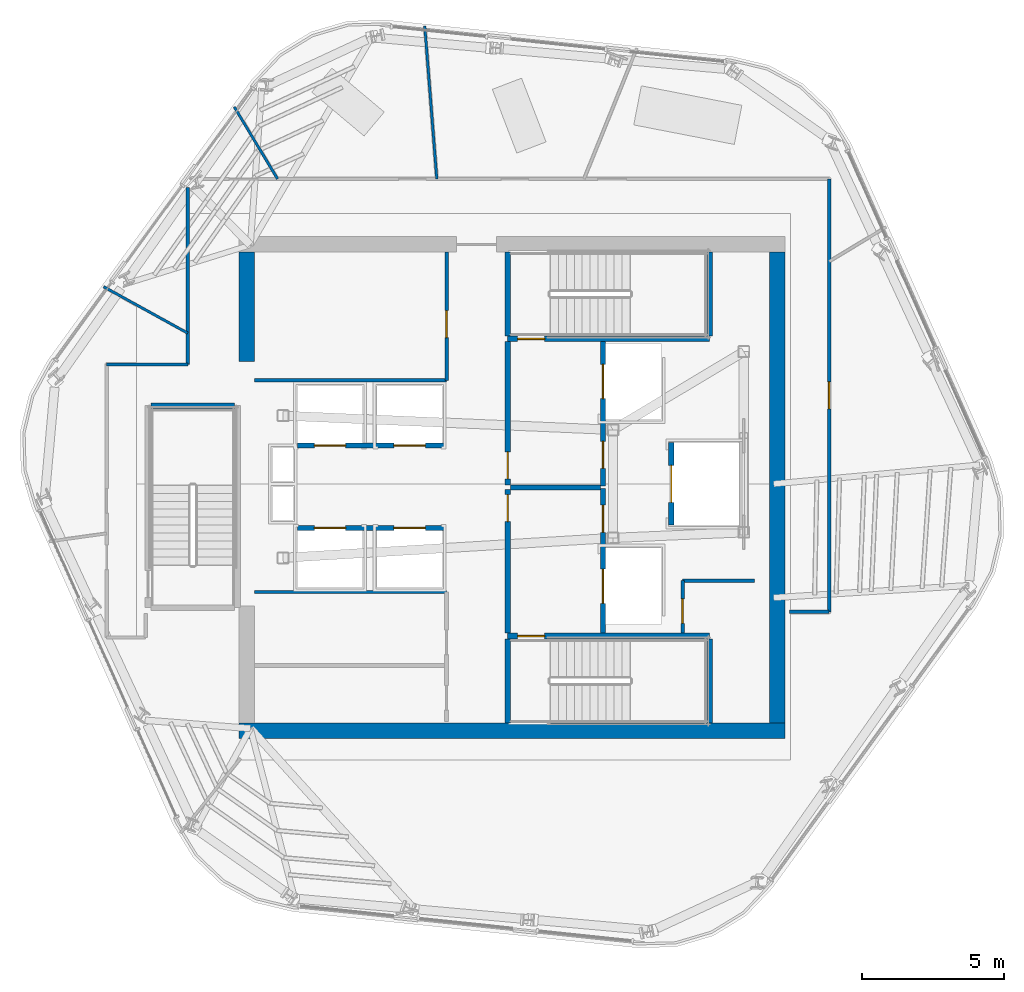
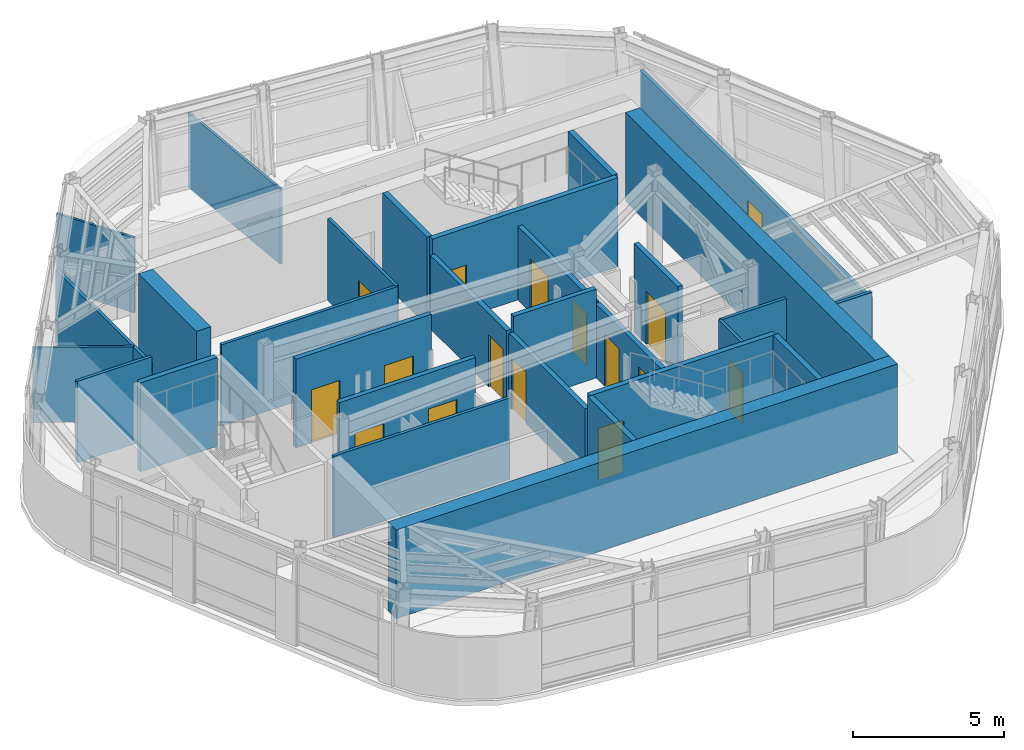
# One storey, part 6 of 12: 30 walls, 16 doors, 16 openings.
"""IFC4 building model written with IfcOpenShell, lengths in metres."""

from ifc_helpers import new_model, si_unit, direction, frame, frame_2d, origin, place, context, subcontext, project, spatial, rectangle, extrude, material, layer, layer_set, type_object, element, fill, save


model = new_model("IFC4")

# Units and contexts
model_context = context("Model", 3, precision=1e-05, world=origin(), true_north=direction((0.0, 1.0)))
body_context = subcontext(model_context, "Body", "Model", "MODEL_VIEW")
ifc_project = project(units=[si_unit("LENGTHUNIT", "METRE"), si_unit("AREAUNIT", "SQUARE_METRE"), si_unit("VOLUMEUNIT", "CUBIC_METRE"), si_unit("PLANEANGLEUNIT", "RADIAN"), si_unit("MASSUNIT", "GRAM", prefix="KILO")], contexts=[model_context])

# Site, building, storey
site_placement = place(None, origin())
site = spatial("IfcSite", under=ifc_project, at=site_placement, CompositionType="ELEMENT")
building_placement = place(site_placement, origin())
building = spatial("IfcBuilding", under=site, at=building_placement, Name="Valkerne Bourse Tower", CompositionType="ELEMENT")
storey_placement = place(building_placement, frame((0.0, 0.0, 258.39990234375)))
storey = spatial("IfcBuildingStorey", under=building, at=storey_placement, Name="L65", CompositionType="ELEMENT", Elevation=258.39990234375)

# Walls
ifc_material_1 = material(Name="Concrete C55/67", Category="concrete")
ifc_layer_1 = layer(ifc_material_1, 0.550048828125)
ifc_layer_set_1 = layer_set([ifc_layer_1], Name="Concrete C55/67")
wall_type_1 = type_object("IfcWallType", Name="W-CORE-550", PredefinedType="SHEAR", material=ifc_layer_set_1)
wall_1_placement = place(storey_placement, frame((37.199951171875, 18.324951171875, 0.0), z_axis=(0.0, 0.0, 1.0), x_axis=(1.0, 0.0, 0.0)))
element("IfcWall", 1, at=wall_1_placement, inside=storey, type_object=wall_type_1, Name="L65 Core Shear Wall SOUTH", PredefinedType="SHEAR", context=body_context, shape_type="SweptSolid", body=[
    extrude(rectangle(XDim=19.199951171875, YDim=0.550048828125, at=frame_2d((9.60009765625, 0.0))), origin(), (0.0, 0.0, 1.0), 3.60009765625),
])
wall_2_placement = place(storey_placement, frame((56.125, 18.60009765625, 0.0), z_axis=(0.0, 0.0, 1.0), x_axis=(0.0, 1.0, 0.0)))
element("IfcWall", 2, at=wall_2_placement, inside=storey, type_object=wall_type_1, Name="L65 Core Shear Wall EAST", PredefinedType="SHEAR", context=body_context, shape_type="SweptSolid", body=[
    extrude(rectangle(XDim=16.5498046875, YDim=0.550048828125, at=frame_2d((8.27490234375, 0.0))), origin(), (0.0, 0.0, 1.0), 3.60009765625),
])
wall_3_placement = place(storey_placement, frame((37.47509765625, 31.300048828125, 0.0), z_axis=(0.0, 0.0, 1.0), x_axis=(0.0, 1.0, 0.0)))
element("IfcWall", 3, at=wall_3_placement, inside=storey, type_object=wall_type_1, Name="L65 Core Shear Wall WEST-N", PredefinedType="SHEAR", context=body_context, shape_type="SweptSolid", body=[
    extrude(rectangle(XDim=3.849853515625, YDim=0.550048828125, at=frame_2d((1.9248046875, 0.0))), origin(), (0.0, 0.0, 1.0), 3.60009765625),
])
ifc_material_2 = material(Name="Gypsum Board Steel-Stud Partition", Category="steel")
ifc_layer_2 = layer(ifc_material_2, 0.117919921875)
ifc_layer_set_2 = layer_set([ifc_layer_2], Name="Gypsum Board Steel-Stud Partition")
wall_type_2 = type_object("IfcWallType", Name="W-CORR-140", PredefinedType="PARTITIONING", material=ifc_layer_set_2)
wall_4_placement = place(storey_placement, frame((37.75, 23.199951171875, 0.0), z_axis=(0.0, 0.0, 1.0), x_axis=(1.0, 0.0, 0.0)))
element("IfcWall", 4, at=wall_4_placement, inside=storey, type_object=wall_type_2, Name="L65 LV7 Low-Bank North Wall", PredefinedType="PARTITIONING", context=body_context, shape_type="SweptSolid", body=[
    extrude(rectangle(XDim=6.75, YDim=0.117919921875, at=frame_2d((3.375, 0.0))), origin(), (0.0, 0.0, 1.0), 3.300048828125),
])

# Wall, opening, door
wall_5_placement = place(storey_placement, frame((44.5, 30.639892578125, 0.0), z_axis=(0.0, 0.0, 1.0), x_axis=(0.0, 1.0, 0.0)))
wall_5 = element("IfcWall", 5, at=wall_5_placement, inside=storey, type_object=wall_type_2, Name="L65 LV7 Mid-Bank East Wall", PredefinedType="PARTITIONING", context=body_context, shape_type="SweptSolid", body=[
    extrude(rectangle(XDim=4.510009765625, YDim=0.117919921875, at=frame_2d((2.2548828125, 0.0))), origin(), (0.0, 0.0, 1.0), 3.300048828125),
])
opening_1_placement = place(wall_5_placement, frame((1.5, 0.0, 0.0)))
opening_1 = element("IfcOpeningElement", 6, at=opening_1_placement, cuts=wall_5, Name="Opening D-SV-950", PredefinedType="OPENING", context=body_context, shape_type="SweptSolid", body=[
    extrude(rectangle(XDim=0.949951171875, YDim=2.050048828125, at=frame_2d((0.47509765625, 1.02490234375))), frame((0.0, 0.06884765625, 0.0), z_axis=(0.0, -1.0, 0.0), x_axis=(1.0, 0.0, 0.0)), (0.0, 0.0, 1.0), 0.137939453125),
])
ifc_material_3 = material(Name="Galvanised Painted Steel", Category="steel")
door_type_1 = type_object("IfcDoorType", Name="DR-SRV-950", OperationType="NOTDEFINED", PredefinedType="DOOR", material=ifc_material_3)
door_1_placement = place(opening_1_placement, origin())
door_1 = element("IfcDoor", 7, at=door_1_placement, inside=storey, type_object=door_type_1, Name="L65 Executive Treasury Conference Door", OperationType="SINGLE_SWING_LEFT", OverallHeight=2.050048828125, OverallWidth=0.949951171875, PredefinedType="DOOR", context=body_context, shape_type="SweptSolid", body=[
    extrude(rectangle(XDim=0.949951171875, YDim=2.050048828125, at=frame_2d((0.47509765625, 1.02490234375))), frame((0.0, 0.02490234375, 0.0), z_axis=(0.0, -1.0, 0.0), x_axis=(1.0, 0.0, 0.0)), (0.0, 0.0, 1.0), 0.050048828125),
])
fill(opening_1, door_1)

# Wall
wall_6_placement = place(storey_placement, frame((37.75, 30.639892578125, 0.0), z_axis=(0.0, 0.0, 1.0), x_axis=(1.0, 0.0, 0.0)))
element("IfcWall", 8, at=wall_6_placement, inside=storey, type_object=wall_type_2, Name="L65 LV7 Mid-Bank South Wall", PredefinedType="PARTITIONING", context=body_context, shape_type="SweptSolid", body=[
    extrude(rectangle(XDim=6.75, YDim=0.117919921875, at=frame_2d((3.375, 0.0))), origin(), (0.0, 0.0, 1.0), 3.300048828125),
])

# Wall, opening, door
wall_7_placement = place(storey_placement, frame((52.800048828125, 21.75, 0.0), z_axis=(0.0, 0.0, 1.0), x_axis=(0.0, 1.0, 0.0)))
wall_7 = element("IfcWall", 9, at=wall_7_placement, inside=storey, type_object=wall_type_2, Name="L65 Core SE South-Bay West Wall", PredefinedType="PARTITIONING", context=body_context, shape_type="SweptSolid", body=[
    extrude(rectangle(XDim=1.85009765625, YDim=0.117919921875, at=frame_2d((0.925048828125, 0.0))), origin(), (0.0, 0.0, 1.0), 3.300048828125),
])
opening_2_placement = place(wall_7_placement, frame((0.35009765625, 0.0, 0.0)))
opening_2 = element("IfcOpeningElement", 10, at=opening_2_placement, cuts=wall_7, Name="Opening D-WC-900", PredefinedType="OPENING", context=body_context, shape_type="SweptSolid", body=[
    extrude(rectangle(XDim=0.860107421875, YDim=2.050048828125, at=frame_2d((0.43017578125, 1.02490234375))), frame((0.0, 0.06884765625, 0.0), z_axis=(0.0, -1.0, 0.0), x_axis=(1.0, 0.0, 0.0)), (0.0, 0.0, 1.0), 0.137939453125),
])
ifc_material_4 = material(Name="Architectural White Oak Timber", Category="wood")
door_type_2 = type_object("IfcDoorType", Name="DR-WC-900", OperationType="NOTDEFINED", PredefinedType="DOOR", material=ifc_material_4)
door_2_placement = place(opening_2_placement, origin())
door_2 = element("IfcDoor", 11, at=door_2_placement, inside=storey, type_object=door_type_2, Name="L65 Janitor Store Door", OperationType="SINGLE_SWING_LEFT", OverallHeight=2.050048828125, OverallWidth=0.860107421875, PredefinedType="DOOR", context=body_context, shape_type="SweptSolid", body=[
    extrude(rectangle(XDim=0.860107421875, YDim=2.050048828125, at=frame_2d((0.43017578125, 1.02490234375))), frame((0.0, 0.02490234375, 0.0), z_axis=(0.0, -1.0, 0.0), x_axis=(1.0, 0.0, 0.0)), (0.0, 0.0, 1.0), 0.050048828125),
])
fill(opening_2, door_2)

# Walls
wall_8_placement = place(storey_placement, frame((52.800048828125, 23.60009765625, 0.0), z_axis=(0.0, 0.0, 1.0), x_axis=(1.0, 0.0, 0.0)))
element("IfcWall", 12, at=wall_8_placement, inside=storey, type_object=wall_type_2, Name="L65 Core SE South-Bay North Wall", PredefinedType="PARTITIONING", context=body_context, shape_type="SweptSolid", body=[
    extrude(rectangle(XDim=2.52001953125, YDim=0.117919921875, at=frame_2d((1.260009765625, 0.0))), origin(), (0.0, 0.0, 1.0), 3.300048828125),
])
wall_9_placement = place(storey_placement, frame((35.39990234375, 31.199951171875, 0.0), z_axis=(0.0, 0.0, 1.0), x_axis=(0.0, 1.0, 0.0)))
element("IfcWall", 13, at=wall_9_placement, inside=storey, type_object=wall_type_2, Name="L65 Corridor Enclosure Wall", PredefinedType="PARTITIONING", context=body_context, shape_type="SweptSolid", body=[
    extrude(rectangle(XDim=6.228271484375, YDim=0.117919921875, at=frame_2d((3.1142578125, 0.0))), origin(), (0.0, 0.0, 1.0), 3.036376953125),
])

# Wall, opening, door
wall_10_placement = place(storey_placement, frame((57.949951171875, 37.719970703125, 0.0), z_axis=(0.0, 0.0, 1.0), x_axis=(0.0, -1.0, 0.0)))
wall_10 = element("IfcWall", 14, at=wall_10_placement, inside=storey, type_object=wall_type_2, Name="L65 Corridor Enclosure Wall", PredefinedType="PARTITIONING", context=body_context, shape_type="SweptSolid", body=[
    extrude(rectangle(XDim=15.219970703125, YDim=0.117919921875, at=frame_2d((7.60986328125, 0.0))), origin(), (0.0, 0.0, 1.0), 3.04150390625),
])
opening_3_placement = place(wall_10_placement, frame((7.135009765625, 0.0, 0.0)))
opening_3 = element("IfcOpeningElement", 15, at=opening_3_placement, cuts=wall_10, Name="Opening D-OF-950", PredefinedType="OPENING", context=body_context, shape_type="SweptSolid", body=[
    extrude(rectangle(XDim=0.949951171875, YDim=2.10009765625, at=frame_2d((0.47509765625, 1.050048828125))), frame((0.0, 0.06884765625, 0.0), z_axis=(0.0, -1.0, 0.0), x_axis=(1.0, 0.0, 0.0)), (0.0, 0.0, 1.0), 0.137939453125),
])
door_type_3 = type_object("IfcDoorType", Name="DR-OFF-950", OperationType="NOTDEFINED", PredefinedType="DOOR", material=ifc_material_4)
door_3_placement = place(opening_3_placement, origin())
door_3 = element("IfcDoor", 16, at=door_3_placement, inside=storey, type_object=door_type_3, Name="L65 L65 Occupational Wellness Clinic 7 Door", OperationType="SINGLE_SWING_RIGHT", OverallHeight=2.10009765625, OverallWidth=0.949951171875, PredefinedType="DOOR", context=body_context, shape_type="SweptSolid", body=[
    extrude(rectangle(XDim=0.949951171875, YDim=2.10009765625, at=frame_2d((0.47509765625, 1.050048828125))), frame((0.0, 0.02490234375, 0.0), z_axis=(0.0, -1.0, 0.0), x_axis=(1.0, 0.0, 0.0)), (0.0, 0.0, 1.0), 0.050048828125),
])
fill(opening_3, door_3)

# Walls
wall_11_placement = place(storey_placement, frame((57.949951171875, 22.5, 0.0), z_axis=(0.0, 0.0, 1.0), x_axis=(-1.0, 0.0, 0.0)))
element("IfcWall", 17, at=wall_11_placement, inside=storey, type_object=wall_type_2, Name="L65 Corridor Enclosure Wall", PredefinedType="PARTITIONING", context=body_context, shape_type="SweptSolid", body=[
    extrude(rectangle(XDim=1.389892578125, YDim=0.117919921875, at=frame_2d((0.69482421875, 0.0))), origin(), (0.0, 0.0, 1.0), 3.300048828125),
])
wall_12_placement = place(storey_placement, frame((32.550048828125, 31.199951171875, 0.0), z_axis=(0.0, 0.0, 1.0), x_axis=(1.0, 0.0, 0.0)))
element("IfcWall", 18, at=wall_12_placement, inside=storey, type_object=wall_type_2, Name="L65 Corridor Enclosure Wall", PredefinedType="PARTITIONING", context=body_context, shape_type="SweptSolid", body=[
    extrude(rectangle(XDim=2.849853515625, YDim=0.117919921875, at=frame_2d((1.4248046875, 0.0))), origin(), (0.0, 0.0, 1.0), 3.300048828125),
])
ifc_material_5 = material(Name="Gypsum Fire-Rated Shaftwall", Category="gypsum")
ifc_layer_3 = layer(ifc_material_5, 0.179931640625)
ifc_layer_set_3 = layer_set([ifc_layer_3], Name="Gypsum Fire-Rated Shaftwall")
wall_type_3 = type_object("IfcWallType", Name="W-FSAE-180", PredefinedType="PARTITIONING", material=ifc_layer_set_3)
wall_13_placement = place(storey_placement, frame((46.739990234375, 26.8798828125, 0.0), z_axis=(0.0, 0.0, 1.0), x_axis=(1.0, 0.0, 0.0)))
element("IfcWall", 19, at=wall_13_placement, inside=storey, type_object=wall_type_3, Name="L65 FSAE-1/2 Lobby Dividing Fire Wall", PredefinedType="PARTITIONING", context=body_context, shape_type="SweptSolid", body=[
    extrude(rectangle(XDim=3.169921875, YDim=0.179931640625, at=frame_2d((1.5849609375, 0.0))), origin(), (0.0, 0.0, 1.0), 3.60009765625),
])

# Wall, opening, door
wall_14_placement = place(storey_placement, frame((46.64990234375, 21.75, 0.0), z_axis=(0.0, 0.0, 1.0), x_axis=(0.0, 1.0, 0.0)))
wall_14 = element("IfcWall", 20, at=wall_14_placement, inside=storey, type_object=wall_type_3, Name="L65 FSAE-1 Lobby West Fire Wall", PredefinedType="PARTITIONING", context=body_context, shape_type="SweptSolid", body=[
    extrude(rectangle(XDim=5.050048828125, YDim=0.179931640625, at=frame_2d((2.52490234375, 0.0))), origin(), (0.0, 0.0, 1.0), 2.977783203125),
])
opening_4_placement = place(wall_14_placement, frame((3.919921875, 0.0, 0.0)))
opening_4 = element("IfcOpeningElement", 21, at=opening_4_placement, cuts=wall_14, Name="Opening D-FS-950", PredefinedType="OPENING", context=body_context, shape_type="SweptSolid", body=[
    extrude(rectangle(XDim=0.949951171875, YDim=2.10009765625, at=frame_2d((0.47509765625, 1.050048828125))), frame((0.0, 0.099853515625, 0.0), z_axis=(0.0, -1.0, 0.0), x_axis=(1.0, 0.0, 0.0)), (0.0, 0.0, 1.0), 0.199951171875),
])
door_type_4 = type_object("IfcDoorType", Name="DR-FSAE-950", OperationType="NOTDEFINED", PredefinedType="DOOR", material=ifc_material_3)
door_4_placement = place(opening_4_placement, origin())
door_4 = element("IfcDoor", 22, at=door_4_placement, inside=storey, type_object=door_type_4, Name="L65 FSAE-1 Hall Link Fire Door", OperationType="SINGLE_SWING_RIGHT", OverallHeight=2.10009765625, OverallWidth=0.949951171875, PredefinedType="DOOR", context=body_context, shape_type="SweptSolid", body=[
    extrude(rectangle(XDim=0.949951171875, YDim=2.10009765625, at=frame_2d((0.47509765625, 1.050048828125))), frame((0.0, 0.02490234375, 0.0), z_axis=(0.0, -1.0, 0.0), x_axis=(1.0, 0.0, 0.0)), (0.0, 0.0, 1.0), 0.050048828125),
])
fill(opening_4, door_4)

wall_15_placement = place(storey_placement, frame((46.64990234375, 26.9599609375, 0.0), z_axis=(0.0, 0.0, 1.0), x_axis=(0.0, 1.0, 0.0)))
wall_15 = element("IfcWall", 23, at=wall_15_placement, inside=storey, type_object=wall_type_3, Name="L65 FSAE-2 Lobby West Fire Wall", PredefinedType="PARTITIONING", context=body_context, shape_type="SweptSolid", body=[
    extrude(rectangle(XDim=5.0400390625, YDim=0.179931640625, at=frame_2d((2.52001953125, 0.0))), origin(), (0.0, 0.0, 1.0), 2.977783203125),
])
opening_5_placement = place(wall_15_placement, frame((0.219970703125, 0.0, 0.0)))
opening_5 = element("IfcOpeningElement", 24, at=opening_5_placement, cuts=wall_15, Name="Opening D-FS-950", PredefinedType="OPENING", context=body_context, shape_type="SweptSolid", body=[
    extrude(rectangle(XDim=0.949951171875, YDim=2.10009765625, at=frame_2d((0.47509765625, 1.050048828125))), frame((0.0, 0.099853515625, 0.0), z_axis=(0.0, -1.0, 0.0), x_axis=(1.0, 0.0, 0.0)), (0.0, 0.0, 1.0), 0.199951171875),
])
door_5_placement = place(opening_5_placement, origin())
door_5 = element("IfcDoor", 25, at=door_5_placement, inside=storey, type_object=door_type_4, Name="L65 FSAE-2 Hall Link Fire Door", OperationType="SINGLE_SWING_RIGHT", OverallHeight=2.10009765625, OverallWidth=0.949951171875, PredefinedType="DOOR", context=body_context, shape_type="SweptSolid", body=[
    extrude(rectangle(XDim=0.949951171875, YDim=2.10009765625, at=frame_2d((0.47509765625, 1.050048828125))), frame((0.0, 0.02490234375, 0.0), z_axis=(0.0, -1.0, 0.0), x_axis=(1.0, 0.0, 0.0)), (0.0, 0.0, 1.0), 0.050048828125),
])
fill(opening_5, door_5)

# Wall, openings, doors
wall_16_placement = place(storey_placement, frame((50.0, 21.75, 0.0), z_axis=(0.0, 0.0, 1.0), x_axis=(0.0, 1.0, 0.0)))
wall_16 = element("IfcWall", 26, at=wall_16_placement, inside=storey, type_object=wall_type_3, Name="L65 FSAE-1 Lobby & Shaft Front Wall", PredefinedType="PARTITIONING", context=body_context, shape_type="SweptSolid", body=[
    extrude(rectangle(XDim=5.090087890625, YDim=0.179931640625, at=frame_2d((2.544921875, 0.0))), origin(), (0.0, 0.0, 1.0), 2.977783203125),
])
opening_6_placement = place(wall_16_placement, frame((1.050048828125, 0.0, 0.0)))
opening_6 = element("IfcOpeningElement", 27, at=opening_6_placement, cuts=wall_16, Name="Opening LD-1200", PredefinedType="OPENING", context=body_context, shape_type="SweptSolid", body=[
    extrude(rectangle(XDim=1.199951171875, YDim=2.14990234375, at=frame_2d((0.60009765625, 1.074951171875))), frame((0.0, 0.099853515625, 0.0), z_axis=(0.0, -1.0, 0.0), x_axis=(1.0, 0.0, 0.0)), (0.0, 0.0, 1.0), 0.199951171875),
])
opening_7_placement = place(wall_16_placement, frame((3.550048828125, 0.0, 0.0)))
opening_7 = element("IfcOpeningElement", 28, at=opening_7_placement, cuts=wall_16, Name="Opening D-FS-950", PredefinedType="OPENING", context=body_context, shape_type="SweptSolid", body=[
    extrude(rectangle(XDim=0.949951171875, YDim=2.10009765625, at=frame_2d((0.47509765625, 1.050048828125))), frame((0.0, 0.099853515625, 0.0), z_axis=(0.0, -1.0, 0.0), x_axis=(1.0, 0.0, 0.0)), (0.0, 0.0, 1.0), 0.199951171875),
])
door_6_placement = place(opening_7_placement, origin())
door_6 = element("IfcDoor", 29, at=door_6_placement, inside=storey, type_object=door_type_4, Name="L65 FSAE-1 Lobby Corridor Fire Door", OperationType="SINGLE_SWING_LEFT", OverallHeight=2.10009765625, OverallWidth=0.949951171875, PredefinedType="DOOR", context=body_context, shape_type="SweptSolid", body=[
    extrude(rectangle(XDim=0.949951171875, YDim=2.10009765625, at=frame_2d((0.47509765625, 1.050048828125))), frame((0.0, 0.02490234375, 0.0), z_axis=(0.0, -1.0, 0.0), x_axis=(1.0, 0.0, 0.0)), (0.0, 0.0, 1.0), 0.050048828125),
])
fill(opening_7, door_6)
ifc_material_6 = material(Name="Stainless Steel AISI 316", Category="steel")
door_type_5 = type_object("IfcDoorType", Name="DR-LIFT-1200", OperationType="DOUBLE_DOOR_SLIDING", PredefinedType="DOOR", material=ifc_material_6)
door_7_placement = place(opening_6_placement, origin())
door_7 = element("IfcDoor", 30, at=door_7_placement, inside=storey, type_object=door_type_5, Name="L65 FSAE-1 Firefighting Lift Landing Door", OperationType="DOUBLE_DOOR_SLIDING", OverallHeight=2.14990234375, OverallWidth=1.199951171875, PredefinedType="DOOR", context=body_context, shape_type="SweptSolid", body=[
    extrude(rectangle(XDim=1.199951171875, YDim=2.14990234375, at=frame_2d((0.60009765625, 1.074951171875))), frame((0.0, 0.02490234375, 0.0), z_axis=(0.0, -1.0, 0.0), x_axis=(1.0, 0.0, 0.0)), (0.0, 0.0, 1.0), 0.050048828125),
])
fill(opening_6, door_7)

wall_17_placement = place(storey_placement, frame((50.0, 26.919921875, 0.0), z_axis=(0.0, 0.0, 1.0), x_axis=(0.0, 1.0, 0.0)))
wall_17 = element("IfcWall", 31, at=wall_17_placement, inside=storey, type_object=wall_type_3, Name="L65 FSAE-2 Lobby & Shaft Front Wall", PredefinedType="PARTITIONING", context=body_context, shape_type="SweptSolid", body=[
    extrude(rectangle(XDim=5.080078125, YDim=0.179931640625, at=frame_2d((2.5400390625, 0.0))), origin(), (0.0, 0.0, 1.0), 2.977783203125),
])
opening_8_placement = place(wall_17_placement, frame((3.080078125, 0.0, 0.0)))
opening_8 = element("IfcOpeningElement", 32, at=opening_8_placement, cuts=wall_17, Name="Opening LD-1200", PredefinedType="OPENING", context=body_context, shape_type="SweptSolid", body=[
    extrude(rectangle(XDim=1.199951171875, YDim=2.14990234375, at=frame_2d((0.60009765625, 1.074951171875))), frame((0.0, 0.099853515625, 0.0), z_axis=(0.0, -1.0, 0.0), x_axis=(1.0, 0.0, 0.0)), (0.0, 0.0, 1.0), 0.199951171875),
])
opening_9_placement = place(wall_17_placement, frame((0.6298828125, 0.0, 0.0)))
opening_9 = element("IfcOpeningElement", 33, at=opening_9_placement, cuts=wall_17, Name="Opening D-FS-950", PredefinedType="OPENING", context=body_context, shape_type="SweptSolid", body=[
    extrude(rectangle(XDim=0.949951171875, YDim=2.10009765625, at=frame_2d((0.47509765625, 1.050048828125))), frame((0.0, 0.099853515625, 0.0), z_axis=(0.0, -1.0, 0.0), x_axis=(1.0, 0.0, 0.0)), (0.0, 0.0, 1.0), 0.199951171875),
])
door_8_placement = place(opening_9_placement, origin())
door_8 = element("IfcDoor", 34, at=door_8_placement, inside=storey, type_object=door_type_4, Name="L65 FSAE-2 Lobby Corridor Fire Door", OperationType="SINGLE_SWING_LEFT", OverallHeight=2.10009765625, OverallWidth=0.949951171875, PredefinedType="DOOR", context=body_context, shape_type="SweptSolid", body=[
    extrude(rectangle(XDim=0.949951171875, YDim=2.10009765625, at=frame_2d((0.47509765625, 1.050048828125))), frame((0.0, 0.02490234375, 0.0), z_axis=(0.0, -1.0, 0.0), x_axis=(1.0, 0.0, 0.0)), (0.0, 0.0, 1.0), 0.050048828125),
])
fill(opening_9, door_8)
door_9_placement = place(opening_8_placement, origin())
door_9 = element("IfcDoor", 35, at=door_9_placement, inside=storey, type_object=door_type_5, Name="L65 FSAE-2 Firefighting Lift Landing Door", OperationType="DOUBLE_DOOR_SLIDING", OverallHeight=2.14990234375, OverallWidth=1.199951171875, PredefinedType="DOOR", context=body_context, shape_type="SweptSolid", body=[
    extrude(rectangle(XDim=1.199951171875, YDim=2.14990234375, at=frame_2d((0.60009765625, 1.074951171875))), frame((0.0, 0.02490234375, 0.0), z_axis=(0.0, -1.0, 0.0), x_axis=(1.0, 0.0, 0.0)), (0.0, 0.0, 1.0), 0.050048828125),
])
fill(opening_8, door_9)

# Wall, opening, door
ifc_material_7 = material(Name="CMU Blockwork Masonry 200mm", Category="masonry")
ifc_layer_4 = layer(ifc_material_7, 0.179931640625)
ifc_layer_set_4 = layer_set([ifc_layer_4], Name="CMU Blockwork Masonry 200mm")
wall_type_4 = type_object("IfcWallType", Name="W-LFT-180", PredefinedType="SOLIDWALL", material=ifc_layer_set_4)
wall_18_placement = place(storey_placement, frame((52.39990234375, 25.550048828125, 0.0), z_axis=(0.0, 0.0, 1.0), x_axis=(0.0, 1.0, 0.0)))
wall_18 = element("IfcWall", 36, at=wall_18_placement, inside=storey, type_object=wall_type_4, Name="L65 Service Lift SV-1 Front Wall", PredefinedType="SOLIDWALL", context=body_context, shape_type="SweptSolid", body=[
    extrude(rectangle(XDim=2.89990234375, YDim=0.179931640625, at=frame_2d((1.449951171875, 0.0))), origin(), (0.0, 0.0, 1.0), 3.60009765625),
])
opening_10_placement = place(wall_18_placement, frame((0.800048828125, 0.0, 0.0)))
opening_10 = element("IfcOpeningElement", 37, at=opening_10_placement, cuts=wall_18, Name="Opening LD-1300", PredefinedType="OPENING", context=body_context, shape_type="SweptSolid", body=[
    extrude(rectangle(XDim=1.300048828125, YDim=2.14990234375, at=frame_2d((0.64990234375, 1.074951171875))), frame((0.0, 0.099853515625, 0.0), z_axis=(0.0, -1.0, 0.0), x_axis=(1.0, 0.0, 0.0)), (0.0, 0.0, 1.0), 0.199951171875),
])
door_type_6 = type_object("IfcDoorType", Name="DR-LIFT-1300", OperationType="DOUBLE_DOOR_SLIDING", PredefinedType="DOOR", material=ifc_material_6)
door_10_placement = place(opening_10_placement, origin())
door_10 = element("IfcDoor", 38, at=door_10_placement, inside=storey, type_object=door_type_6, Name="L65 Service Lift SV-1 Landing Door", OperationType="DOUBLE_DOOR_SLIDING", OverallHeight=2.14990234375, OverallWidth=1.300048828125, PredefinedType="DOOR", context=body_context, shape_type="SweptSolid", body=[
    extrude(rectangle(XDim=1.300048828125, YDim=2.14990234375, at=frame_2d((0.64990234375, 1.074951171875))), frame((0.0, 0.02490234375, 0.0), z_axis=(0.0, -1.0, 0.0), x_axis=(1.0, 0.0, 0.0)), (0.0, 0.0, 1.0), 0.050048828125),
])
fill(opening_10, door_10)

# Wall, openings, doors
wall_19_placement = place(storey_placement, frame((39.25, 25.449951171875, 0.0), z_axis=(0.0, 0.0, 1.0), x_axis=(1.0, 0.0, 0.0)))
wall_19 = element("IfcWall", 39, at=wall_19_placement, inside=storey, type_object=wall_type_4, Name="L65 High-Zone South Cars Front Wall", PredefinedType="SOLIDWALL", context=body_context, shape_type="SweptSolid", body=[
    extrude(rectangle(XDim=5.199951171875, YDim=0.179931640625, at=frame_2d((2.60009765625, 0.0))), origin(), (0.0, 0.0, 1.0), 3.60009765625),
])
opening_11_placement = place(wall_19_placement, frame((0.60009765625, 0.0, 0.0)))
opening_11 = element("IfcOpeningElement", 40, at=opening_11_placement, cuts=wall_19, Name="Opening LD-1100", PredefinedType="OPENING", context=body_context, shape_type="SweptSolid", body=[
    extrude(rectangle(XDim=1.10009765625, YDim=2.14990234375, at=frame_2d((0.550048828125, 1.074951171875))), frame((0.0, 0.099853515625, 0.0), z_axis=(0.0, -1.0, 0.0), x_axis=(1.0, 0.0, 0.0)), (0.0, 0.0, 1.0), 0.199951171875),
])
opening_12_placement = place(wall_19_placement, frame((3.39990234375, 0.0, 0.0)))
opening_12 = element("IfcOpeningElement", 41, at=opening_12_placement, cuts=wall_19, Name="Opening LD-1100", PredefinedType="OPENING", context=body_context, shape_type="SweptSolid", body=[
    extrude(rectangle(XDim=1.10009765625, YDim=2.14990234375, at=frame_2d((0.550048828125, 1.074951171875))), frame((0.0, 0.099853515625, 0.0), z_axis=(0.0, -1.0, 0.0), x_axis=(1.0, 0.0, 0.0)), (0.0, 0.0, 1.0), 0.199951171875),
])
door_type_7 = type_object("IfcDoorType", Name="DR-LIFT-1100", OperationType="DOUBLE_DOOR_SLIDING", PredefinedType="DOOR", material=ifc_material_6)
door_11_placement = place(opening_11_placement, origin())
door_11 = element("IfcDoor", 42, at=door_11_placement, inside=storey, type_object=door_type_7, Name="L65 Passenger Lift PL-H1 Sliding Landing Door", OperationType="DOUBLE_DOOR_SLIDING", OverallHeight=2.14990234375, OverallWidth=1.10009765625, PredefinedType="DOOR", context=body_context, shape_type="SweptSolid", body=[
    extrude(rectangle(XDim=1.10009765625, YDim=2.14990234375, at=frame_2d((0.550048828125, 1.074951171875))), frame((0.0, 0.02490234375, 0.0), z_axis=(0.0, -1.0, 0.0), x_axis=(1.0, 0.0, 0.0)), (0.0, 0.0, 1.0), 0.050048828125),
])
fill(opening_11, door_11)
door_12_placement = place(opening_12_placement, origin())
door_12 = element("IfcDoor", 43, at=door_12_placement, inside=storey, type_object=door_type_7, Name="L65 Passenger Lift PL-H2 Sliding Landing Door", OperationType="DOUBLE_DOOR_SLIDING", OverallHeight=2.14990234375, OverallWidth=1.10009765625, PredefinedType="DOOR", context=body_context, shape_type="SweptSolid", body=[
    extrude(rectangle(XDim=1.10009765625, YDim=2.14990234375, at=frame_2d((0.550048828125, 1.074951171875))), frame((0.0, 0.02490234375, 0.0), z_axis=(0.0, -1.0, 0.0), x_axis=(1.0, 0.0, 0.0)), (0.0, 0.0, 1.0), 0.050048828125),
])
fill(opening_12, door_12)

wall_20_placement = place(storey_placement, frame((39.25, 28.35009765625, 0.0), z_axis=(0.0, 0.0, 1.0), x_axis=(1.0, 0.0, 0.0)))
wall_20 = element("IfcWall", 44, at=wall_20_placement, inside=storey, type_object=wall_type_4, Name="L65 High-Zone North Cars Front Wall", PredefinedType="SOLIDWALL", context=body_context, shape_type="SweptSolid", body=[
    extrude(rectangle(XDim=5.199951171875, YDim=0.179931640625, at=frame_2d((2.60009765625, 0.0))), origin(), (0.0, 0.0, 1.0), 3.60009765625),
])
opening_13_placement = place(wall_20_placement, frame((0.60009765625, 0.0, 0.0)))
opening_13 = element("IfcOpeningElement", 45, at=opening_13_placement, cuts=wall_20, Name="Opening LD-1100", PredefinedType="OPENING", context=body_context, shape_type="SweptSolid", body=[
    extrude(rectangle(XDim=1.10009765625, YDim=2.14990234375, at=frame_2d((0.550048828125, 1.074951171875))), frame((0.0, 0.099853515625, 0.0), z_axis=(0.0, -1.0, 0.0), x_axis=(1.0, 0.0, 0.0)), (0.0, 0.0, 1.0), 0.199951171875),
])
opening_14_placement = place(wall_20_placement, frame((3.39990234375, 0.0, 0.0)))
opening_14 = element("IfcOpeningElement", 46, at=opening_14_placement, cuts=wall_20, Name="Opening LD-1100", PredefinedType="OPENING", context=body_context, shape_type="SweptSolid", body=[
    extrude(rectangle(XDim=1.10009765625, YDim=2.14990234375, at=frame_2d((0.550048828125, 1.074951171875))), frame((0.0, 0.099853515625, 0.0), z_axis=(0.0, -1.0, 0.0), x_axis=(1.0, 0.0, 0.0)), (0.0, 0.0, 1.0), 0.199951171875),
])
door_13_placement = place(opening_13_placement, origin())
door_13 = element("IfcDoor", 47, at=door_13_placement, inside=storey, type_object=door_type_7, Name="L65 Passenger Lift PL-H3 Sliding Landing Door", OperationType="DOUBLE_DOOR_SLIDING", OverallHeight=2.14990234375, OverallWidth=1.10009765625, PredefinedType="DOOR", context=body_context, shape_type="SweptSolid", body=[
    extrude(rectangle(XDim=1.10009765625, YDim=2.14990234375, at=frame_2d((0.550048828125, 1.074951171875))), frame((0.0, 0.02490234375, 0.0), z_axis=(0.0, -1.0, 0.0), x_axis=(1.0, 0.0, 0.0)), (0.0, 0.0, 1.0), 0.050048828125),
])
fill(opening_13, door_13)
door_14_placement = place(opening_14_placement, origin())
door_14 = element("IfcDoor", 48, at=door_14_placement, inside=storey, type_object=door_type_7, Name="L65 Passenger Lift PL-H4 Sliding Landing Door", OperationType="DOUBLE_DOOR_SLIDING", OverallHeight=2.14990234375, OverallWidth=1.10009765625, PredefinedType="DOOR", context=body_context, shape_type="SweptSolid", body=[
    extrude(rectangle(XDim=1.10009765625, YDim=2.14990234375, at=frame_2d((0.550048828125, 1.074951171875))), frame((0.0, 0.02490234375, 0.0), z_axis=(0.0, -1.0, 0.0), x_axis=(1.0, 0.0, 0.0)), (0.0, 0.0, 1.0), 0.050048828125),
])
fill(opening_14, door_14)

# Walls
ifc_layer_5 = layer(ifc_material_2, 0.092041015625)
ifc_layer_set_5 = layer_set([ifc_layer_5], Name="Gypsum Board Steel-Stud Partition")
wall_type_5 = type_object("IfcWallType", Name="W-PART-115", PredefinedType="PARTITIONING", material=ifc_layer_set_5)
wall_21_placement = place(storey_placement, frame((44.156005859375, 37.72509765625, 0.0), z_axis=(0.0, 0.0, 1.0), x_axis=(-0.078465657388, 0.996916817298, 0.0)))
element("IfcWall", 49, at=wall_21_placement, inside=storey, type_object=wall_type_5, Name="L65 Suite Partition P02", PredefinedType="PARTITIONING", context=body_context, shape_type="SweptSolid", body=[
    extrude(rectangle(XDim=5.39208984375, YDim=0.092041015625, at=frame_2d((2.696044921875, 0.0))), origin(), (0.0, 0.0, 1.0), 3.036376953125),
])
wall_22_placement = place(storey_placement, frame((38.555908203125, 37.72509765625, 0.0), z_axis=(0.0, 0.0, 1.0), x_axis=(-0.515091407825, 0.857135252796, 0.0)))
element("IfcWall", 50, at=wall_22_placement, inside=storey, type_object=wall_type_5, Name="L65 Suite Partition P03", PredefinedType="PARTITIONING", context=body_context, shape_type="SweptSolid", body=[
    extrude(rectangle(XDim=2.952880859375, YDim=0.092041015625, at=frame_2d((1.4765625, 0.0))), origin(), (0.0, 0.0, 1.0), 3.036376953125),
])
wall_23_placement = place(storey_placement, frame((35.39501953125, 32.302734375, 0.0), z_axis=(0.0, 0.0, 1.0), x_axis=(-0.875447834338, 0.483312620726, 0.0)))
element("IfcWall", 51, at=wall_23_placement, inside=storey, type_object=wall_type_5, Name="L65 Suite Partition P04", PredefinedType="PARTITIONING", context=body_context, shape_type="SweptSolid", body=[
    extrude(rectangle(XDim=3.373779296875, YDim=0.092041015625, at=frame_2d((1.68701171875, 0.0))), origin(), (0.0, 0.0, 1.0), 3.036376953125),
])

# Wall, opening, door
ifc_material_8 = material(Name="Concrete C40/50", Category="concrete")
ifc_layer_6 = layer(ifc_material_8, 0.199951171875)
ifc_layer_set_6 = layer_set([ifc_layer_6], Name="Concrete C40/50")
wall_type_6 = type_object("IfcWallType", Name="W-SHF-200", PredefinedType="SHEAR", material=ifc_layer_set_6)
wall_24_placement = place(storey_placement, frame((46.64990234375, 21.64990234375, 0.0), z_axis=(0.0, 0.0, 1.0), x_axis=(1.0, 0.0, 0.0)))
wall_24 = element("IfcWall", 52, at=wall_24_placement, inside=storey, type_object=wall_type_6, Name="L65 Exit Stair ST-1 Structural Shaft Wall North", PredefinedType="SHEAR", context=body_context, shape_type="SweptSolid", body=[
    extrude(rectangle(XDim=7.10009765625, YDim=0.199951171875, at=frame_2d((3.550048828125, 0.0))), origin(), (0.0, 0.0, 1.0), 3.60009765625),
])
opening_15_placement = place(wall_24_placement, frame((0.35009765625, 0.0, 0.0)))
opening_15 = element("IfcOpeningElement", 53, at=opening_15_placement, cuts=wall_24, Name="Opening D-ST-950", PredefinedType="OPENING", context=body_context, shape_type="SweptSolid", body=[
    extrude(rectangle(XDim=0.949951171875, YDim=2.10009765625, at=frame_2d((0.47509765625, 1.050048828125))), frame((0.0, 0.10986328125, 0.0), z_axis=(0.0, -1.0, 0.0), x_axis=(1.0, 0.0, 0.0)), (0.0, 0.0, 1.0), 0.219970703125),
])
door_type_8 = type_object("IfcDoorType", Name="DR-STAIR-950", OperationType="NOTDEFINED", PredefinedType="DOOR", material=ifc_material_3)
door_15_placement = place(opening_15_placement, origin())
door_15 = element("IfcDoor", 54, at=door_15_placement, inside=storey, type_object=door_type_8, Name="L65 Exit Stair ST-1 Door", OperationType="SINGLE_SWING_RIGHT", OverallHeight=2.10009765625, OverallWidth=0.949951171875, PredefinedType="DOOR", context=body_context, shape_type="SweptSolid", body=[
    extrude(rectangle(XDim=0.949951171875, YDim=2.10009765625, at=frame_2d((0.47509765625, 1.050048828125))), frame((0.0, 0.02490234375, 0.0), z_axis=(0.0, -1.0, 0.0), x_axis=(1.0, 0.0, 0.0)), (0.0, 0.0, 1.0), 0.050048828125),
])
fill(opening_15, door_15)

# Walls
for number, where, z_axis, x_axis, name in (
    (55, (46.64990234375, 18.60009765625, 0.0), (0.0, 0.0, 1.0), (0.0, 1.0, 0.0), "L65 Exit Stair ST-1 Structural Shaft Wall West"),
    (56, (53.75, 18.60009765625, 0.0), (0.0, 0.0, 1.0), (0.0, 1.0, 0.0), "L65 Exit Stair ST-1 Structural Shaft Wall East"),
):
    element("IfcWall", number, at=place(storey_placement, frame(where, z_axis=z_axis, x_axis=x_axis)), inside=storey, type_object=wall_type_6, Name=name, PredefinedType="SHEAR", context=body_context, shape_type="SweptSolid", body=[
        extrude(rectangle(XDim=2.949951171875, YDim=0.199951171875, at=frame_2d((1.47509765625, 0.0))), origin(), (0.0, 0.0, 1.0), 3.60009765625),
    ])

# Wall, opening, door
wall_25_placement = place(storey_placement, frame((46.64990234375, 32.10009765625, 0.0), z_axis=(0.0, 0.0, 1.0), x_axis=(1.0, 0.0, 0.0)))
wall_25 = element("IfcWall", 57, at=wall_25_placement, inside=storey, type_object=wall_type_6, Name="L65 Exit Stair ST-2 Structural Shaft Wall South", PredefinedType="SHEAR", context=body_context, shape_type="SweptSolid", body=[
    extrude(rectangle(XDim=7.10009765625, YDim=0.199951171875, at=frame_2d((3.550048828125, 0.0))), origin(), (0.0, 0.0, 1.0), 3.60009765625),
])
opening_16_placement = place(wall_25_placement, frame((0.35009765625, 0.0, 0.0)))
opening_16 = element("IfcOpeningElement", 58, at=opening_16_placement, cuts=wall_25, Name="Opening D-ST-950", PredefinedType="OPENING", context=body_context, shape_type="SweptSolid", body=[
    extrude(rectangle(XDim=0.949951171875, YDim=2.10009765625, at=frame_2d((0.47509765625, 1.050048828125))), frame((0.0, 0.10986328125, 0.0), z_axis=(0.0, -1.0, 0.0), x_axis=(1.0, 0.0, 0.0)), (0.0, 0.0, 1.0), 0.219970703125),
])
door_16_placement = place(opening_16_placement, origin())
door_16 = element("IfcDoor", 59, at=door_16_placement, inside=storey, type_object=door_type_8, Name="L65 Exit Stair ST-2 Door", OperationType="SINGLE_SWING_RIGHT", OverallHeight=2.10009765625, OverallWidth=0.949951171875, PredefinedType="DOOR", context=body_context, shape_type="SweptSolid", body=[
    extrude(rectangle(XDim=0.949951171875, YDim=2.10009765625, at=frame_2d((0.47509765625, 1.050048828125))), frame((0.0, 0.02490234375, 0.0), z_axis=(0.0, -1.0, 0.0), x_axis=(1.0, 0.0, 0.0)), (0.0, 0.0, 1.0), 0.050048828125),
])
fill(opening_16, door_16)

# Walls
for number, where, z_axis, x_axis, name in (
    (60, (46.64990234375, 32.199951171875, 0.0), (0.0, 0.0, 1.0), (0.0, 1.0, 0.0), "L65 Exit Stair ST-2 Structural Shaft Wall West"),
    (61, (53.75, 32.199951171875, 0.0), (0.0, 0.0, 1.0), (0.0, 1.0, 0.0), "L65 Exit Stair ST-2 Structural Shaft Wall East"),
    (62, (34.10009765625, 29.75, 0.0), (0.0, 0.0, 1.0), (1.0, 0.0, 0.0), "L65 Exit Stair ST-3 Structural Shaft Wall North"),
):
    element("IfcWall", number, at=place(storey_placement, frame(where, z_axis=z_axis, x_axis=x_axis)), inside=storey, type_object=wall_type_6, Name=name, PredefinedType="SHEAR", context=body_context, shape_type="SweptSolid", body=[
        extrude(rectangle(XDim=2.949951171875, YDim=0.199951171875, at=frame_2d((1.47509765625, 0.0))), origin(), (0.0, 0.0, 1.0), 3.60009765625),
    ])

save(model, "model.ifc")
